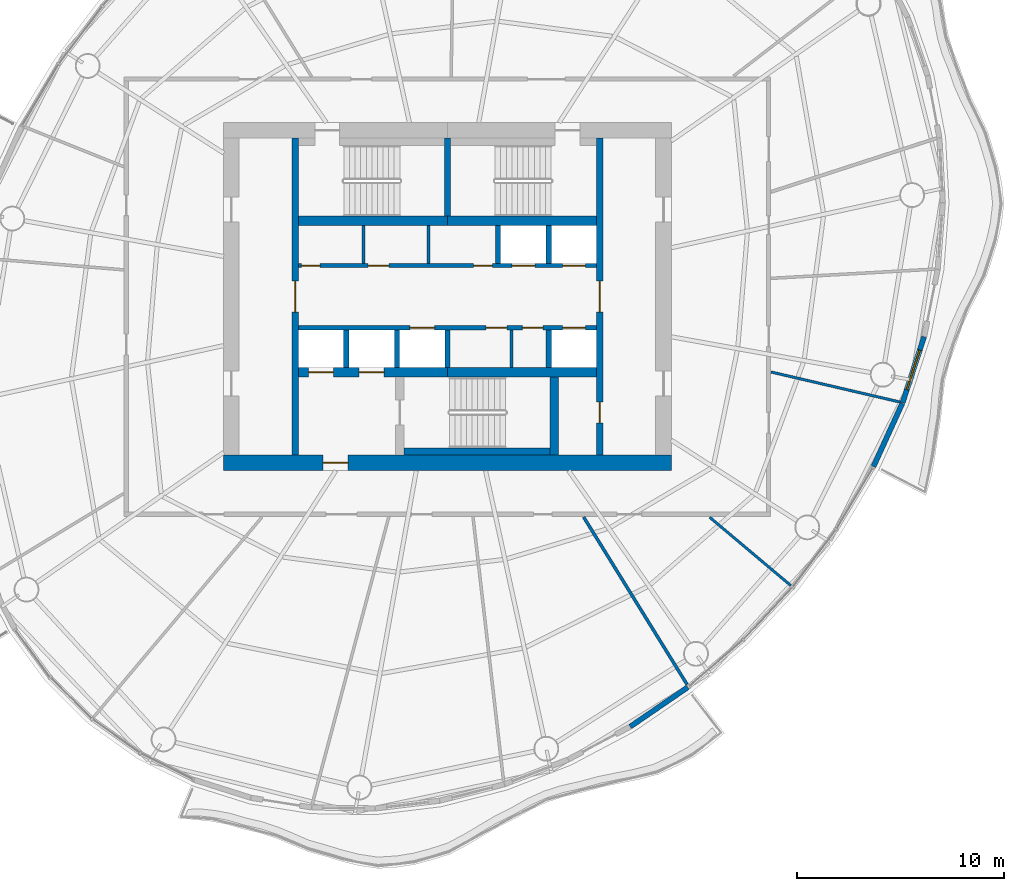
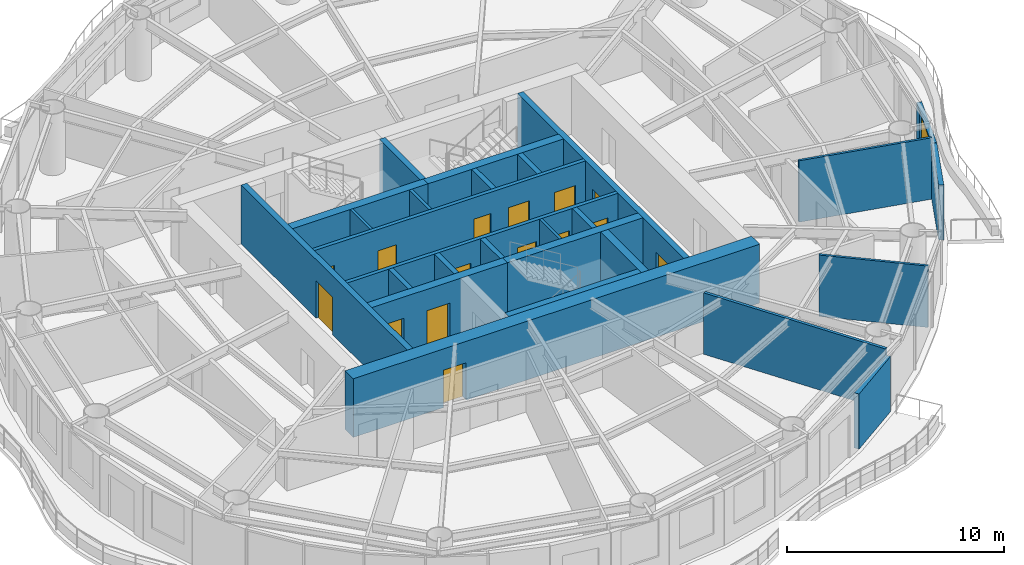
# One storey, part 9 of 14: 27 walls, 15 doors, 1 window, 16 openings.
"""IFC4 building model written with IfcOpenShell, lengths in metres."""

import ifcopenshell
import ifcopenshell.guid

model = None  # the IFC model being written
_history = None  # IfcOwnerHistory: only IFC2X3 demands one
_inside = {}  # id of a spatial element -> (the spatial element, [elements in it])
_under = {}  # id of a project, library or spatial element -> (it, [spatial elements below it])
_declared = {}  # id of a project -> (the project, [libraries it declares])
_typed = {}  # id of a type object -> (the type object, [elements of that type])
_made_of = {}  # id of a material, layer set ... -> (it, [elements and type objects made of it])


def new_model(schema):
    """Start an empty IFC model of exactly this schema.

    Asked for "IFC4X3", IfcOpenShell would pick the latest addendum, in which some entities
    have other attributes; the version numbers below select the first issue.
    IFC2X3 requires an IfcOwnerHistory on every rooted entity: one is made here for all.
    """
    global model, _history
    if schema == "IFC4X3":
        model = ifcopenshell.file(schema_version=(4, 3, 0, 0))
    else:
        model = ifcopenshell.file(schema=schema)
    _inside.clear()
    _under.clear()
    _declared.clear()
    _typed.clear()
    _made_of.clear()
    _history = None
    if model.schema == "IFC2X3":
        org = make("IfcOrganization", Name="unknown")
        user = make(
            "IfcPersonAndOrganization",
            ThePerson=make("IfcPerson", FamilyName="unknown"),
            TheOrganization=org,
        )
        app = make(
            "IfcApplication",
            ApplicationDeveloper=org,
            Version="unknown",
            ApplicationFullName="unknown",
            ApplicationIdentifier="unknown",
        )
        _history = make(
            "IfcOwnerHistory",
            OwningUser=user,
            OwningApplication=app,
            ChangeAction="ADDED",
            CreationDate=0,
        )
    return model


def make(cls, **values):
    """One entity of the class cls with the attributes given. An attribute that is None is left unset."""
    return model.create_entity(
        cls, **{name: value for name, value in values.items() if value is not None}
    )


def rooted(cls, **values):
    """An entity with a GlobalId (a new one), such as an element, a storey or a relation."""
    return make(cls, GlobalId=ifcopenshell.guid.new(), OwnerHistory=_history, **values)


def si_unit(unit_type, name, prefix=None):
    """IfcSIUnit, for example si_unit("LENGTHUNIT", "METRE", prefix="MILLI")."""
    return make("IfcSIUnit", UnitType=unit_type, Prefix=prefix, Name=name)


def assignment(units):
    """IfcUnitAssignment: the units of a project."""
    return None if units is None else make("IfcUnitAssignment", Units=units)


def point(xyz):
    """IfcCartesianPoint."""
    return None if xyz is None else make("IfcCartesianPoint", Coordinates=xyz)


def direction(xyz):
    """IfcDirection."""
    return None if xyz is None else make("IfcDirection", DirectionRatios=xyz)


def frame(location, z_axis=None, x_axis=None):
    """IfcAxis2Placement3D, a coordinate frame: its origin and axes. An axis left out is left unset."""
    return make(
        "IfcAxis2Placement3D",
        Location=point(location),
        Axis=direction(z_axis),
        RefDirection=direction(x_axis),
    )


def frame_2d(location, x_axis=None):
    """IfcAxis2Placement2D, a coordinate frame in the plane: its origin and x axis."""
    return make(
        "IfcAxis2Placement2D", Location=point(location), RefDirection=direction(x_axis)
    )


def origin():
    """The frame at (0, 0, 0) with its axes left unset."""
    return frame((0.0, 0.0, 0.0))


def place(relative_to, where):
    """IfcLocalPlacement: puts the frame where relative to a parent placement (None: the world)."""
    return make(
        "IfcLocalPlacement", PlacementRelTo=relative_to, RelativePlacement=where
    )


def context(
    kind, dimensions, precision=None, world=None, true_north=None, identifier=None
):
    """IfcGeometricRepresentationContext, for example the 3D "Model" context."""
    return make(
        "IfcGeometricRepresentationContext",
        ContextIdentifier=identifier,
        ContextType=kind,
        CoordinateSpaceDimension=dimensions,
        Precision=precision,
        WorldCoordinateSystem=world,
        TrueNorth=true_north,
    )


def subcontext(parent, identifier, kind, view, scale=None):
    """IfcGeometricRepresentationSubContext, for example "Body" below "Model"."""
    return make(
        "IfcGeometricRepresentationSubContext",
        ContextIdentifier=identifier,
        ContextType=kind,
        ParentContext=parent,
        TargetScale=scale,
        TargetView=view,
    )


def project(units=None, contexts=None):
    """IfcProject with its units and contexts."""
    return rooted(
        "IfcProject",
        Name="project",
        RepresentationContexts=contexts,
        UnitsInContext=assignment(units),
    )


def spatial(cls, under=None, at=None, **own):
    """A site, building, storey or space (cls), placed at a placement, below another one or the project."""
    s = rooted(cls, ObjectPlacement=at, **own)
    if under is not None:
        _under.setdefault(under.id(), (under, []))[1].append(s)
    return s


def profile(cls, at=None, kind="AREA", **sizes):
    """A parametric profile (cls). Its sizes go by their IFC names, for example OverallWidth=200.0."""
    return make(cls, ProfileType=kind, Position=at, **sizes)


def rectangle(**sizes):
    """IfcRectangleProfileDef."""
    return profile("IfcRectangleProfileDef", **sizes)


def extrude(swept, where, along, depth):
    """IfcExtrudedAreaSolid: the profile swept, set in the frame where, extruded along a direction by depth."""
    return make(
        "IfcExtrudedAreaSolid",
        SweptArea=swept,
        Position=where,
        ExtrudedDirection=direction(along),
        Depth=depth,
    )


def shape(context_of_items, identifier, shape_type, items):
    """IfcShapeRepresentation: the items that make up one representation, for example the "Body"."""
    return make(
        "IfcShapeRepresentation",
        ContextOfItems=context_of_items,
        RepresentationIdentifier=identifier,
        RepresentationType=shape_type,
        Items=items,
    )


def material(Name=None, Category=None):
    """IfcMaterial."""
    return make("IfcMaterial", Name=Name, Category=Category)


def layer(
    of_material, thickness, ventilated=None, Name=None, Category=None, Priority=None
):
    """IfcMaterialLayer: one layer of a wall or slab, of a material (None: an air gap)."""
    return make(
        "IfcMaterialLayer",
        Material=of_material,
        LayerThickness=thickness,
        IsVentilated=ventilated,
        Name=Name,
        Category=Category,
        Priority=Priority,
    )


def layer_set(layers, Name=None):
    """IfcMaterialLayerSet."""
    return make("IfcMaterialLayerSet", MaterialLayers=layers, LayerSetName=Name)


def made_of(thing, what):
    """Note that an element or type object is made of a material, layer set ...; save() writes the relation."""
    if what is not None:
        _made_of.setdefault(what.id(), (what, []))[1].append(thing)
    return thing


def type_object(cls, material=None, **own):
    """A type object (cls), such as IfcWallType, which elements share."""
    return made_of(rooted(cls, **own), material)


def element(
    cls,
    number,
    at=None,
    inside=None,
    cuts=None,
    type_object=None,
    material=None,
    context=None,
    identifier="Body",
    shape_type=None,
    held_by="IfcProductDefinitionShape",
    body=None,
    shapes=None,
    **own,
):
    """One element of the class cls, such as IfcWall. Its Tag is "e" and its number.

    at: its placement. inside: the storey or other place that contains it. cuts: it is an
    opening in that element (IfcRelVoidsElement). A single representation is given by context,
    identifier, shape_type and body (its items); several are given by shapes. held_by: the class
    of the entity that holds the representations. save() writes the other relations.
    """
    e = rooted(cls, Tag="e%d" % number, ObjectPlacement=at, **own)
    if body is not None:
        shapes = [shape(context, identifier, shape_type, body)]
    if shapes is not None:
        e.Representation = make(held_by, Representations=shapes)
    if inside is not None:
        _inside.setdefault(inside.id(), (inside, []))[1].append(e)
    if cuts is not None:
        rooted(
            "IfcRelVoidsElement", RelatingBuildingElement=cuts, RelatedOpeningElement=e
        )
    if type_object is not None:
        _typed.setdefault(type_object.id(), (type_object, []))[1].append(e)
    return made_of(e, material)


def fill(opening, filler):
    """IfcRelFillsElement: the door or window that sits in an opening."""
    return rooted(
        "IfcRelFillsElement",
        RelatingOpeningElement=opening,
        RelatedBuildingElement=filler,
    )


def aggregate(whole, parts):
    """IfcRelAggregates: a whole, such as a stair, and the parts it consists of."""
    return rooted("IfcRelAggregates", RelatingObject=whole, RelatedObjects=parts)


def save(model, path):
    """Write the relations noted so far, then the file.

    IfcRelAggregates (storeys below a building ...), IfcRelContainedInSpatialStructure (elements
    in a storey), IfcRelDefinesByType, IfcRelAssociatesMaterial and IfcRelDeclares: one each for
    every whole, place, type object, material and project.
    """
    for whole, parts in _under.values():
        aggregate(whole, parts)
    for where, things in _inside.values():
        rooted(
            "IfcRelContainedInSpatialStructure",
            RelatedElements=things,
            RelatingStructure=where,
        )
    for kind, things in _typed.values():
        rooted("IfcRelDefinesByType", RelatedObjects=things, RelatingType=kind)
    for what, things in _made_of.values():
        rooted("IfcRelAssociatesMaterial", RelatedObjects=things, RelatingMaterial=what)
    for by, libraries in _declared.values():
        rooted("IfcRelDeclares", RelatingContext=by, RelatedDefinitions=libraries)
    model.write(path)


model = new_model("IFC4")

# Units and contexts
model_context = context("Model", 3, precision=1e-05, world=origin(), true_north=direction((0.0, 1.0)))
body_context = subcontext(model_context, "Body", "Model", "MODEL_VIEW")
ifc_project = project(units=[si_unit("LENGTHUNIT", "METRE"), si_unit("AREAUNIT", "SQUARE_METRE"), si_unit("VOLUMEUNIT", "CUBIC_METRE"), si_unit("PLANEANGLEUNIT", "RADIAN"), si_unit("MASSUNIT", "GRAM", prefix="KILO")], contexts=[model_context])

# Site, building, storey
site_placement = place(None, origin())
site = spatial("IfcSite", under=ifc_project, at=site_placement, CompositionType="ELEMENT")
building_placement = place(site_placement, origin())
building = spatial("IfcBuilding", under=site, at=building_placement, Name="Vermilion Reach Broadcast Tower", CompositionType="ELEMENT")
storey_placement = place(building_placement, frame((0.0, 0.0, 231.699951171875)))
storey = spatial("IfcBuildingStorey", under=building, at=storey_placement, Name="L57", CompositionType="ELEMENT", Elevation=231.699951171875)

# Wall, opening, door
ifc_material_1 = material(Name="Concrete C60", Category="concrete")
ifc_layer_1 = layer(ifc_material_1, 0.300048828125)
ifc_layer_set_1 = layer_set([ifc_layer_1], Name="Core inner wall 300 mm Concrete C60")
wall_type_1 = type_object("IfcWallType", Name="Core inner wall 300 mm Concrete C60", PredefinedType="SHEAR", material=ifc_layer_set_1)
wall_1_placement = place(storey_placement, frame((-13.35009765625, 7.64990234375, 0.0), z_axis=(0.0, 0.0, 1.0), x_axis=(0.0, -1.0, 0.0)))
wall_1 = element("IfcWall", 1, at=wall_1_placement, inside=storey, type_object=wall_type_1, Name="L57 core wall ewW", PredefinedType="SHEAR", context=body_context, shape_type="SweptSolid", body=[
    extrude(rectangle(XDim=15.2998046875, YDim=0.300048828125, at=frame_2d((7.64990234375, 0.0))), origin(), (0.0, 0.0, 1.0), 3.300048828125),
])
opening_1_placement = place(wall_1_placement, frame((6.89990234375, 0.0, 0.0)))
opening_1 = element("IfcOpeningElement", 2, at=opening_1_placement, cuts=wall_1, Name="Opening D04", PredefinedType="OPENING", context=body_context, shape_type="SweptSolid", body=[
    extrude(rectangle(XDim=1.5, YDim=2.10009765625, at=frame_2d((0.75, 1.050048828125))), frame((0.0, 0.159912109375, 0.0), z_axis=(0.0, -1.0, 0.0), x_axis=(1.0, 0.0, 0.0)), (0.0, 0.0, 1.0), 0.320068359375),
])
ifc_material_2 = material(Name="Painted steel fire door", Category="steel")
door_type_1 = type_object("IfcDoorType", Name="Lift lobby door 1500 x 2100", OperationType="DOUBLE_DOOR_SINGLE_SWING", PredefinedType="NOTDEFINED", material=ifc_material_2)
door_1_placement = place(opening_1_placement, origin())
door_1 = element("IfcDoor", 3, at=door_1_placement, inside=storey, type_object=door_type_1, Name="L57 band door BW", OperationType="DOUBLE_DOOR_SINGLE_SWING", OverallHeight=2.10009765625, OverallWidth=1.5, PredefinedType="NOTDEFINED", context=body_context, shape_type="SweptSolid", body=[
    extrude(rectangle(XDim=1.5, YDim=2.10009765625, at=frame_2d((0.75, 1.050048828125))), frame((0.0, 0.02490234375, 0.0), z_axis=(0.0, -1.0, 0.0), x_axis=(1.0, 0.0, 0.0)), (0.0, 0.0, 1.0), 0.050048828125),
])
fill(opening_1, door_1)

# Wall, openings, doors
wall_2_placement = place(storey_placement, frame((1.35009765625, -7.64990234375, 0.0), z_axis=(0.0, 0.0, 1.0), x_axis=(0.0, 1.0, 0.0)))
wall_2 = element("IfcWall", 4, at=wall_2_placement, inside=storey, type_object=wall_type_1, Name="L57 core wall ewE", PredefinedType="SHEAR", context=body_context, shape_type="SweptSolid", body=[
    extrude(rectangle(XDim=15.2998046875, YDim=0.300048828125, at=frame_2d((7.64990234375, 0.0))), origin(), (0.0, 0.0, 1.0), 3.300048828125),
])
opening_2_placement = place(wall_2_placement, frame((1.56005859375, 0.0, 0.0)))
opening_2 = element("IfcOpeningElement", 5, at=opening_2_placement, cuts=wall_2, Name="Opening D05", PredefinedType="OPENING", context=body_context, shape_type="SweptSolid", body=[
    extrude(rectangle(XDim=1.0, YDim=2.10009765625, at=frame_2d((0.5, 1.050048828125))), frame((0.0, 0.159912109375, 0.0), z_axis=(0.0, -1.0, 0.0), x_axis=(1.0, 0.0, 0.0)), (0.0, 0.0, 1.0), 0.320068359375),
])
opening_3_placement = place(wall_2_placement, frame((6.89990234375, 0.0, 0.0)))
opening_3 = element("IfcOpeningElement", 6, at=opening_3_placement, cuts=wall_2, Name="Opening D04", PredefinedType="OPENING", context=body_context, shape_type="SweptSolid", body=[
    extrude(rectangle(XDim=1.5, YDim=2.10009765625, at=frame_2d((0.75, 1.050048828125))), frame((0.0, 0.159912109375, 0.0), z_axis=(0.0, -1.0, 0.0), x_axis=(1.0, 0.0, 0.0)), (0.0, 0.0, 1.0), 0.320068359375),
])
door_2_placement = place(opening_3_placement, origin())
door_2 = element("IfcDoor", 7, at=door_2_placement, inside=storey, type_object=door_type_1, Name="L57 band door BE", OperationType="DOUBLE_DOOR_SINGLE_SWING", OverallHeight=2.10009765625, OverallWidth=1.5, PredefinedType="NOTDEFINED", context=body_context, shape_type="SweptSolid", body=[
    extrude(rectangle(XDim=1.5, YDim=2.10009765625, at=frame_2d((0.75, 1.050048828125))), frame((0.0, 0.02490234375, 0.0), z_axis=(0.0, -1.0, 0.0), x_axis=(1.0, 0.0, 0.0)), (0.0, 0.0, 1.0), 0.050048828125),
])
fill(opening_3, door_2)
ifc_material_3 = material(Name="Timber door", Category="wood")
door_type_2 = type_object("IfcDoorType", Name="Room door 1000 x 2100", OperationType="NOTDEFINED", PredefinedType="NOTDEFINED", material=ifc_material_3)
door_3_placement = place(opening_2_placement, origin())
door_3 = element("IfcDoor", 8, at=door_3_placement, inside=storey, type_object=door_type_2, Name="L57 door SER", OperationType="SINGLE_SWING_LEFT", OverallHeight=2.10009765625, OverallWidth=1.0, PredefinedType="NOTDEFINED", context=body_context, shape_type="SweptSolid", body=[
    extrude(rectangle(XDim=1.0, YDim=2.10009765625, at=frame_2d((0.5, 1.050048828125))), frame((0.0, 0.02490234375, 0.0), z_axis=(0.0, -1.0, 0.0), x_axis=(1.0, 0.0, 0.0)), (0.0, 0.0, 1.0), 0.050048828125),
])
fill(opening_2, door_3)

# Walls
wall_3_placement = place(storey_placement, frame((-6.0, 3.8798828125, 0.0), z_axis=(0.0, 0.0, 1.0), x_axis=(0.0, 1.0, 0.0)))
element("IfcWall", 9, at=wall_3_placement, inside=storey, type_object=wall_type_1, Name="L57 core wall wc", PredefinedType="SHEAR", context=body_context, shape_type="SweptSolid", body=[
    extrude(rectangle(XDim=3.77001953125, YDim=0.300048828125, at=frame_2d((1.885009765625, 0.0))), origin(), (0.0, 0.0, 1.0), 3.300048828125),
])
ifc_material_4 = material(Name="Concrete C60", Category="concrete")
ifc_layer_2 = layer(ifc_material_4, 0.39990234375)
ifc_layer_set_2 = layer_set([ifc_layer_2], Name="Core inner wall 400 mm Concrete C60")
wall_type_2 = type_object("IfcWallType", Name="Core inner wall 400 mm Concrete C60", PredefinedType="SHEAR", material=ifc_layer_set_2)
wall_4_placement = place(storey_placement, frame((-0.85009765625, -3.8798828125, 0.0), z_axis=(0.0, 0.0, 1.0), x_axis=(0.0, -1.0, 0.0)))
element("IfcWall", 10, at=wall_4_placement, inside=storey, type_object=wall_type_2, Name="L57 core wall wb", PredefinedType="SHEAR", context=body_context, shape_type="SweptSolid", body=[
    extrude(rectangle(XDim=3.77001953125, YDim=0.39990234375, at=frame_2d((1.885009765625, 0.0))), origin(), (0.0, 0.0, 1.0), 3.300048828125),
])
ifc_material_5 = material(Name="Concrete C60", Category="concrete")
ifc_layer_3 = layer(ifc_material_5, 0.449951171875)
ifc_layer_set_3 = layer_set([ifc_layer_3], Name="Core inner wall 450 mm Concrete C60")
wall_type_3 = type_object("IfcWallType", Name="Core inner wall 450 mm Concrete C60", PredefinedType="SHEAR", material=ifc_layer_set_3)
for number, where, z_axis, x_axis, name in (
    (11, (-13.199951171875, 3.655029296875, 0.0), (0.0, 0.0, 1.0), (1.0, 0.0, 0.0), "L57 core wall winW"),
    (12, (-6.0, 3.655029296875, 0.0), (0.0, 0.0, 1.0), (1.0, 0.0, 0.0), "L57 core wall winE"),
):
    element("IfcWall", number, at=place(storey_placement, frame(where, z_axis=z_axis, x_axis=x_axis)), inside=storey, type_object=wall_type_3, Name=name, PredefinedType="SHEAR", context=body_context, shape_type="SweptSolid", body=[
        extrude(rectangle(XDim=7.199951171875, YDim=0.449951171875, at=frame_2d((3.60009765625, 0.0))), origin(), (0.0, 0.0, 1.0), 3.300048828125),
    ])

# Wall, openings, doors
wall_5_placement = place(storey_placement, frame((-13.199951171875, -3.655029296875, 0.0), z_axis=(0.0, 0.0, 1.0), x_axis=(1.0, 0.0, 0.0)))
wall_5 = element("IfcWall", 13, at=wall_5_placement, inside=storey, type_object=wall_type_3, Name="L57 core wall wisW", PredefinedType="SHEAR", context=body_context, shape_type="SweptSolid", body=[
    extrude(rectangle(XDim=7.199951171875, YDim=0.449951171875, at=frame_2d((3.60009765625, 0.0))), origin(), (0.0, 0.0, 1.0), 3.300048828125),
])
opening_4_placement = place(wall_5_placement, frame((0.495849609375, 0.0, 0.0)))
opening_4 = element("IfcOpeningElement", 14, at=opening_4_placement, cuts=wall_5, Name="Opening LD1", PredefinedType="OPENING", context=body_context, shape_type="SweptSolid", body=[
    extrude(rectangle(XDim=1.199951171875, YDim=2.10009765625, at=frame_2d((0.60009765625, 1.050048828125))), frame((0.0, 0.23486328125, 0.0), z_axis=(0.0, -1.0, 0.0), x_axis=(1.0, 0.0, 0.0)), (0.0, 0.0, 1.0), 0.469970703125),
])
opening_5_placement = place(wall_5_placement, frame((2.9375, 0.0, 0.0)))
opening_5 = element("IfcOpeningElement", 15, at=opening_5_placement, cuts=wall_5, Name="Opening LD1", PredefinedType="OPENING", context=body_context, shape_type="SweptSolid", body=[
    extrude(rectangle(XDim=1.199951171875, YDim=2.10009765625, at=frame_2d((0.60009765625, 1.050048828125))), frame((0.0, 0.23486328125, 0.0), z_axis=(0.0, -1.0, 0.0), x_axis=(1.0, 0.0, 0.0)), (0.0, 0.0, 1.0), 0.469970703125),
])
ifc_material_6 = material(Name="Stainless steel", Category="steel")
door_type_3 = type_object("IfcDoorType", Name="Landing door 1200 x 2100", OperationType="DOUBLE_DOOR_SLIDING", PredefinedType="NOTDEFINED", material=ifc_material_6)
door_4_placement = place(opening_4_placement, origin())
door_4 = element("IfcDoor", 16, at=door_4_placement, inside=storey, type_object=door_type_3, Name="L57 landing door FF1", OperationType="DOUBLE_DOOR_SLIDING", OverallHeight=2.10009765625, OverallWidth=1.199951171875, PredefinedType="NOTDEFINED", context=body_context, shape_type="SweptSolid", body=[
    extrude(rectangle(XDim=1.199951171875, YDim=2.10009765625, at=frame_2d((0.60009765625, 1.050048828125))), frame((0.0, 0.02490234375, 0.0), z_axis=(0.0, -1.0, 0.0), x_axis=(1.0, 0.0, 0.0)), (0.0, 0.0, 1.0), 0.050048828125),
])
fill(opening_4, door_4)
door_5_placement = place(opening_5_placement, origin())
door_5 = element("IfcDoor", 17, at=door_5_placement, inside=storey, type_object=door_type_3, Name="L57 landing door FF2", OperationType="DOUBLE_DOOR_SLIDING", OverallHeight=2.10009765625, OverallWidth=1.199951171875, PredefinedType="NOTDEFINED", context=body_context, shape_type="SweptSolid", body=[
    extrude(rectangle(XDim=1.199951171875, YDim=2.10009765625, at=frame_2d((0.60009765625, 1.050048828125))), frame((0.0, 0.02490234375, 0.0), z_axis=(0.0, -1.0, 0.0), x_axis=(1.0, 0.0, 0.0)), (0.0, 0.0, 1.0), 0.050048828125),
])
fill(opening_5, door_5)

# Wall
wall_6_placement = place(storey_placement, frame((-6.0, -3.655029296875, 0.0), z_axis=(0.0, 0.0, 1.0), x_axis=(1.0, 0.0, 0.0)))
element("IfcWall", 18, at=wall_6_placement, inside=storey, type_object=wall_type_3, Name="L57 core wall wisE", PredefinedType="SHEAR", context=body_context, shape_type="SweptSolid", body=[
    extrude(rectangle(XDim=7.199951171875, YDim=0.449951171875, at=frame_2d((3.60009765625, 0.0))), origin(), (0.0, 0.0, 1.0), 3.300048828125),
])

# Wall, opening, door
ifc_material_7 = material(Name="Concrete C60", Category="concrete")
ifc_layer_4 = layer(ifc_material_7, 0.75)
ifc_layer_set_4 = layer_set([ifc_layer_4], Name="Core outer wall 750 mm Concrete C60")
wall_type_4 = type_object("IfcWallType", Name="Core outer wall 750 mm Concrete C60", PredefinedType="SHEAR", material=ifc_layer_set_4)
wall_7_placement = place(storey_placement, frame((-16.800048828125, -8.02490234375, 0.0), z_axis=(0.0, 0.0, 1.0), x_axis=(1.0, 0.0, 0.0)))
wall_7 = element("IfcWall", 19, at=wall_7_placement, inside=storey, type_object=wall_type_4, Name="L57 core wall os", PredefinedType="SHEAR", context=body_context, shape_type="SweptSolid", body=[
    extrude(rectangle(XDim=21.60009765625, YDim=0.75, at=frame_2d((10.800048828125, 0.0))), origin(), (0.0, 0.0, 1.0), 3.300048828125),
])
opening_6_placement = place(wall_7_placement, frame((4.800048828125, 0.0, 0.0)))
opening_6 = element("IfcOpeningElement", 20, at=opening_6_placement, cuts=wall_7, Name="Opening D02", PredefinedType="OPENING", context=body_context, shape_type="SweptSolid", body=[
    extrude(rectangle(XDim=1.199951171875, YDim=2.10009765625, at=frame_2d((0.60009765625, 1.050048828125))), frame((0.0, 0.385009765625, 0.0), z_axis=(0.0, -1.0, 0.0), x_axis=(1.0, 0.0, 0.0)), (0.0, 0.0, 1.0), 0.77001953125),
])
ifc_material_8 = material(Name="Painted steel fire door", Category="steel")
door_type_4 = type_object("IfcDoorType", Name="Firefighting lobby door 1200 x 2100", OperationType="DOUBLE_DOOR_SINGLE_SWING", PredefinedType="NOTDEFINED", material=ifc_material_8)
door_6_placement = place(opening_6_placement, origin())
door_6 = element("IfcDoor", 21, at=door_6_placement, inside=storey, type_object=door_type_4, Name="L57 ffdoor door FFL", OperationType="DOUBLE_DOOR_SINGLE_SWING", OverallHeight=2.10009765625, OverallWidth=1.199951171875, PredefinedType="NOTDEFINED", context=body_context, shape_type="SweptSolid", body=[
    extrude(rectangle(XDim=1.199951171875, YDim=2.10009765625, at=frame_2d((0.60009765625, 1.050048828125))), frame((0.0, 0.02490234375, 0.0), z_axis=(0.0, -1.0, 0.0), x_axis=(1.0, 0.0, 0.0)), (0.0, 0.0, 1.0), 0.050048828125),
])
fill(opening_6, door_6)

# Walls
ifc_material_9 = material(Name="Masonry block", Category="masonry")
ifc_layer_5 = layer(ifc_material_9, 0.14990234375)
ifc_layer_set_5 = layer_set([ifc_layer_5], Name="Core partition wall 150 mm Masonry block")
wall_type_5 = type_object("IfcWallType", Name="Core partition wall 150 mm Masonry block", PredefinedType="PARTITIONING", material=ifc_layer_set_5)
for number, where, z_axis, x_axis, name in (
    (22, (-10.0595703125, 1.60009765625, 0.0), (0.0, 0.0, 1.0), (0.0, 1.0, 0.0), "L57 core wall prN-4060"),
    (23, (-6.9189453125, 1.60009765625, 0.0), (0.0, 0.0, 1.0), (0.0, 1.0, 0.0), "L57 core wall prN-919"),
    (24, (-2.90966796875, -1.60009765625, 0.0), (0.0, 0.0, 1.0), (0.0, -1.0, 0.0), "L57 core wall prS3090"),
):
    element("IfcWall", number, at=place(storey_placement, frame(where, z_axis=z_axis, x_axis=x_axis)), inside=storey, type_object=wall_type_5, Name=name, PredefinedType="PARTITIONING", context=body_context, shape_type="SweptSolid", body=[
        extrude(rectangle(XDim=1.829833984375, YDim=0.14990234375, at=frame_2d((0.9150390625, 0.0))), origin(), (0.0, 0.0, 1.0), 3.300048828125),
    ])

# Wall, openings, doors
ifc_material_10 = material(Name="Concrete C50", Category="concrete")
ifc_layer_6 = layer(ifc_material_10, 0.199951171875)
ifc_layer_set_6 = layer_set([ifc_layer_6], Name="Core shaft wall 200 mm Concrete C50")
wall_type_6 = type_object("IfcWallType", Name="Core shaft wall 200 mm Concrete C50", PredefinedType="SHEAR", material=ifc_layer_set_6)
wall_8_placement = place(storey_placement, frame((-13.199951171875, 1.5, 0.0), z_axis=(0.0, 0.0, 1.0), x_axis=(1.0, 0.0, 0.0)))
wall_8 = element("IfcWall", 25, at=wall_8_placement, inside=storey, type_object=wall_type_6, Name="L57 core wall fn", PredefinedType="SHEAR", context=body_context, shape_type="SweptSolid", body=[
    extrude(rectangle(XDim=14.39990234375, YDim=0.199951171875, at=frame_2d((7.199951171875, 0.0))), origin(), (0.0, 0.0, 1.0), 3.300048828125),
])
opening_7_placement = place(wall_8_placement, frame((10.3125, 0.0, 0.0)))
opening_7 = element("IfcOpeningElement", 26, at=opening_7_placement, cuts=wall_8, Name="Opening LD2", PredefinedType="OPENING", context=body_context, shape_type="SweptSolid", body=[
    extrude(rectangle(XDim=1.10009765625, YDim=2.10009765625, at=frame_2d((0.550048828125, 1.050048828125))), frame((0.0, 0.10986328125, 0.0), z_axis=(0.0, -1.0, 0.0), x_axis=(1.0, 0.0, 0.0)), (0.0, 0.0, 1.0), 0.219970703125),
])
opening_8_placement = place(wall_8_placement, frame((12.754150390625, 0.0, 0.0)))
opening_8 = element("IfcOpeningElement", 27, at=opening_8_placement, cuts=wall_8, Name="Opening LD2", PredefinedType="OPENING", context=body_context, shape_type="SweptSolid", body=[
    extrude(rectangle(XDim=1.10009765625, YDim=2.10009765625, at=frame_2d((0.550048828125, 1.050048828125))), frame((0.0, 0.10986328125, 0.0), z_axis=(0.0, -1.0, 0.0), x_axis=(1.0, 0.0, 0.0)), (0.0, 0.0, 1.0), 0.219970703125),
])
opening_9_placement = place(wall_8_placement, frame((0.14990234375, 0.0, 0.0)))
opening_9 = element("IfcOpeningElement", 28, at=opening_9_placement, cuts=wall_8, Name="Opening D06", PredefinedType="OPENING", context=body_context, shape_type="SweptSolid", body=[
    extrude(rectangle(XDim=0.89990234375, YDim=2.10009765625, at=frame_2d((0.449951171875, 1.050048828125))), frame((0.0, 0.10986328125, 0.0), z_axis=(0.0, -1.0, 0.0), x_axis=(1.0, 0.0, 0.0)), (0.0, 0.0, 1.0), 0.219970703125),
])
opening_10_placement = place(wall_8_placement, frame((3.365478515625, 0.0, 0.0)))
opening_10 = element("IfcOpeningElement", 29, at=opening_10_placement, cuts=wall_8, Name="Opening D07", PredefinedType="OPENING", context=body_context, shape_type="SweptSolid", body=[
    extrude(rectangle(XDim=1.0, YDim=2.10009765625, at=frame_2d((0.5, 1.050048828125))), frame((0.0, 0.10986328125, 0.0), z_axis=(0.0, -1.0, 0.0), x_axis=(1.0, 0.0, 0.0)), (0.0, 0.0, 1.0), 0.219970703125),
])
opening_11_placement = place(wall_8_placement, frame((8.466552734375, 0.0, 0.0)))
opening_11 = element("IfcOpeningElement", 30, at=opening_11_placement, cuts=wall_8, Name="Opening D06", PredefinedType="OPENING", context=body_context, shape_type="SweptSolid", body=[
    extrude(rectangle(XDim=0.89990234375, YDim=2.10009765625, at=frame_2d((0.449951171875, 1.050048828125))), frame((0.0, 0.10986328125, 0.0), z_axis=(0.0, -1.0, 0.0), x_axis=(1.0, 0.0, 0.0)), (0.0, 0.0, 1.0), 0.219970703125),
])
ifc_material_11 = material(Name="Timber door", Category="wood")
door_type_5 = type_object("IfcDoorType", Name="Accessible WC door 1000 x 2100", OperationType="NOTDEFINED", PredefinedType="NOTDEFINED", material=ifc_material_11)
door_7_placement = place(opening_10_placement, origin())
door_7 = element("IfcDoor", 31, at=door_7_placement, inside=storey, type_object=door_type_5, Name="L57 door Accessible WC", OperationType="SINGLE_SWING_LEFT", OverallHeight=2.10009765625, OverallWidth=1.0, PredefinedType="NOTDEFINED", context=body_context, shape_type="SweptSolid", body=[
    extrude(rectangle(XDim=1.0, YDim=2.10009765625, at=frame_2d((0.5, 1.050048828125))), frame((0.0, 0.02490234375, 0.0), z_axis=(0.0, -1.0, 0.0), x_axis=(1.0, 0.0, 0.0)), (0.0, 0.0, 1.0), 0.050048828125),
])
fill(opening_10, door_7)
ifc_material_12 = material(Name="Stainless steel", Category="steel")
door_type_6 = type_object("IfcDoorType", Name="Landing door 1100 x 2100", OperationType="DOUBLE_DOOR_SLIDING", PredefinedType="NOTDEFINED", material=ifc_material_12)
door_8_placement = place(opening_7_placement, origin())
door_8 = element("IfcDoor", 32, at=door_8_placement, inside=storey, type_object=door_type_6, Name="L57 landing door HR1", OperationType="DOUBLE_DOOR_SLIDING", OverallHeight=2.10009765625, OverallWidth=1.10009765625, PredefinedType="NOTDEFINED", context=body_context, shape_type="SweptSolid", body=[
    extrude(rectangle(XDim=1.10009765625, YDim=2.10009765625, at=frame_2d((0.550048828125, 1.050048828125))), frame((0.0, 0.02490234375, 0.0), z_axis=(0.0, -1.0, 0.0), x_axis=(1.0, 0.0, 0.0)), (0.0, 0.0, 1.0), 0.050048828125),
])
fill(opening_7, door_8)
door_9_placement = place(opening_8_placement, origin())
door_9 = element("IfcDoor", 33, at=door_9_placement, inside=storey, type_object=door_type_6, Name="L57 landing door HR2", OperationType="DOUBLE_DOOR_SLIDING", OverallHeight=2.10009765625, OverallWidth=1.10009765625, PredefinedType="NOTDEFINED", context=body_context, shape_type="SweptSolid", body=[
    extrude(rectangle(XDim=1.10009765625, YDim=2.10009765625, at=frame_2d((0.550048828125, 1.050048828125))), frame((0.0, 0.02490234375, 0.0), z_axis=(0.0, -1.0, 0.0), x_axis=(1.0, 0.0, 0.0)), (0.0, 0.0, 1.0), 0.050048828125),
])
fill(opening_8, door_9)
ifc_material_13 = material(Name="Timber door", Category="wood")
door_type_7 = type_object("IfcDoorType", Name="WC door 900 x 2100", OperationType="NOTDEFINED", PredefinedType="NOTDEFINED", material=ifc_material_13)
door_10_placement = place(opening_9_placement, origin())
door_10 = element("IfcDoor", 34, at=door_10_placement, inside=storey, type_object=door_type_7, Name="L57 door Male WC", OperationType="SINGLE_SWING_LEFT", OverallHeight=2.10009765625, OverallWidth=0.89990234375, PredefinedType="NOTDEFINED", context=body_context, shape_type="SweptSolid", body=[
    extrude(rectangle(XDim=0.89990234375, YDim=2.10009765625, at=frame_2d((0.449951171875, 1.050048828125))), frame((0.0, 0.02490234375, 0.0), z_axis=(0.0, -1.0, 0.0), x_axis=(1.0, 0.0, 0.0)), (0.0, 0.0, 1.0), 0.050048828125),
])
fill(opening_9, door_10)
door_11_placement = place(opening_11_placement, origin())
door_11 = element("IfcDoor", 35, at=door_11_placement, inside=storey, type_object=door_type_7, Name="L57 door Female WC", OperationType="SINGLE_SWING_RIGHT", OverallHeight=2.10009765625, OverallWidth=0.89990234375, PredefinedType="NOTDEFINED", context=body_context, shape_type="SweptSolid", body=[
    extrude(rectangle(XDim=0.89990234375, YDim=2.10009765625, at=frame_2d((0.449951171875, 1.050048828125))), frame((0.0, 0.02490234375, 0.0), z_axis=(0.0, -1.0, 0.0), x_axis=(1.0, 0.0, 0.0)), (0.0, 0.0, 1.0), 0.050048828125),
])
fill(opening_11, door_11)

wall_9_placement = place(storey_placement, frame((1.199951171875, -1.5, 0.0), z_axis=(0.0, 0.0, 1.0), x_axis=(-1.0, 0.0, 0.0)))
wall_9 = element("IfcWall", 36, at=wall_9_placement, inside=storey, type_object=wall_type_6, Name="L57 core wall fs", PredefinedType="SHEAR", context=body_context, shape_type="SweptSolid", body=[
    extrude(rectangle(XDim=14.39990234375, YDim=0.199951171875, at=frame_2d((7.199951171875, 0.0))), origin(), (0.0, 0.0, 1.0), 3.300048828125),
])
opening_12_placement = place(wall_9_placement, frame((7.82080078125, 0.0, 0.0)))
opening_12 = element("IfcOpeningElement", 37, at=opening_12_placement, cuts=wall_9, Name="Opening LD1", PredefinedType="OPENING", context=body_context, shape_type="SweptSolid", body=[
    extrude(rectangle(XDim=1.199951171875, YDim=2.10009765625, at=frame_2d((0.60009765625, 1.050048828125))), frame((0.0, 0.10986328125, 0.0), z_axis=(0.0, -1.0, 0.0), x_axis=(1.0, 0.0, 0.0)), (0.0, 0.0, 1.0), 0.219970703125),
])
opening_13_placement = place(wall_9_placement, frame((0.5458984375, 0.0, 0.0)))
opening_13 = element("IfcOpeningElement", 38, at=opening_13_placement, cuts=wall_9, Name="Opening LD2", PredefinedType="OPENING", context=body_context, shape_type="SweptSolid", body=[
    extrude(rectangle(XDim=1.10009765625, YDim=2.10009765625, at=frame_2d((0.550048828125, 1.050048828125))), frame((0.0, 0.10986328125, 0.0), z_axis=(0.0, -1.0, 0.0), x_axis=(1.0, 0.0, 0.0)), (0.0, 0.0, 1.0), 0.219970703125),
])
opening_14_placement = place(wall_9_placement, frame((4.334716796875, 0.0, 0.0)))
opening_14 = element("IfcOpeningElement", 39, at=opening_14_placement, cuts=wall_9, Name="Opening D10", PredefinedType="OPENING", context=body_context, shape_type="SweptSolid", body=[
    extrude(rectangle(XDim=1.0, YDim=2.10009765625, at=frame_2d((0.5, 1.050048828125))), frame((0.0, 0.10986328125, 0.0), z_axis=(0.0, -1.0, 0.0), x_axis=(1.0, 0.0, 0.0)), (0.0, 0.0, 1.0), 0.219970703125),
])
opening_15_placement = place(wall_9_placement, frame((2.591552734375, 0.0, 0.0)))
opening_15 = element("IfcOpeningElement", 40, at=opening_15_placement, cuts=wall_9, Name="Opening D11", PredefinedType="OPENING", context=body_context, shape_type="SweptSolid", body=[
    extrude(rectangle(XDim=1.0, YDim=2.10009765625, at=frame_2d((0.5, 1.050048828125))), frame((0.0, 0.10986328125, 0.0), z_axis=(0.0, -1.0, 0.0), x_axis=(1.0, 0.0, 0.0)), (0.0, 0.0, 1.0), 0.219970703125),
])
door_12_placement = place(opening_13_placement, origin())
door_12 = element("IfcDoor", 41, at=door_12_placement, inside=storey, type_object=door_type_6, Name="L57 landing door HR3", OperationType="DOUBLE_DOOR_SLIDING", OverallHeight=2.10009765625, OverallWidth=1.10009765625, PredefinedType="NOTDEFINED", context=body_context, shape_type="SweptSolid", body=[
    extrude(rectangle(XDim=1.10009765625, YDim=2.10009765625, at=frame_2d((0.550048828125, 1.050048828125))), frame((0.0, 0.02490234375, 0.0), z_axis=(0.0, -1.0, 0.0), x_axis=(1.0, 0.0, 0.0)), (0.0, 0.0, 1.0), 0.050048828125),
])
fill(opening_13, door_12)
door_13_placement = place(opening_12_placement, origin())
door_13 = element("IfcDoor", 42, at=door_13_placement, inside=storey, type_object=door_type_3, Name="L57 landing door SV1", OperationType="DOUBLE_DOOR_SLIDING", OverallHeight=2.10009765625, OverallWidth=1.199951171875, PredefinedType="NOTDEFINED", context=body_context, shape_type="SweptSolid", body=[
    extrude(rectangle(XDim=1.199951171875, YDim=2.10009765625, at=frame_2d((0.60009765625, 1.050048828125))), frame((0.0, 0.02490234375, 0.0), z_axis=(0.0, -1.0, 0.0), x_axis=(1.0, 0.0, 0.0)), (0.0, 0.0, 1.0), 0.050048828125),
])
fill(opening_12, door_13)
ifc_material_14 = material(Name="Painted steel fire door", Category="steel")
door_type_8 = type_object("IfcDoorType", Name="Services room door 1000 x 2100", OperationType="NOTDEFINED", PredefinedType="NOTDEFINED", material=ifc_material_14)
door_14_placement = place(opening_15_placement, origin())
door_14 = element("IfcDoor", 43, at=door_14_placement, inside=storey, type_object=door_type_8, Name="L57 door Electrical room", OperationType="SINGLE_SWING_LEFT", OverallHeight=2.10009765625, OverallWidth=1.0, PredefinedType="NOTDEFINED", context=body_context, shape_type="SweptSolid", body=[
    extrude(rectangle(XDim=1.0, YDim=2.10009765625, at=frame_2d((0.5, 1.050048828125))), frame((0.0, 0.02490234375, 0.0), z_axis=(0.0, -1.0, 0.0), x_axis=(1.0, 0.0, 0.0)), (0.0, 0.0, 1.0), 0.050048828125),
])
fill(opening_15, door_14)
ifc_material_15 = material(Name="Timber door", Category="wood")
door_type_9 = type_object("IfcDoorType", Name="WC lobby door 1000 x 2100", OperationType="NOTDEFINED", PredefinedType="NOTDEFINED", material=ifc_material_15)
door_15_placement = place(opening_14_placement, origin())
door_15 = element("IfcDoor", 44, at=door_15_placement, inside=storey, type_object=door_type_9, Name="L57 door WC lobby", OperationType="SINGLE_SWING_LEFT", OverallHeight=2.10009765625, OverallWidth=1.0, PredefinedType="NOTDEFINED", context=body_context, shape_type="SweptSolid", body=[
    extrude(rectangle(XDim=1.0, YDim=2.10009765625, at=frame_2d((0.5, 1.050048828125))), frame((0.0, 0.02490234375, 0.0), z_axis=(0.0, -1.0, 0.0), x_axis=(1.0, 0.0, 0.0)), (0.0, 0.0, 1.0), 0.050048828125),
])
fill(opening_14, door_15)

# Walls
ifc_material_16 = material(Name="Concrete C50", Category="concrete")
ifc_layer_7 = layer(ifc_material_16, 0.25)
ifc_layer_set_7 = layer_set([ifc_layer_7], Name="Core shaft wall 250 mm Concrete C50")
wall_type_7 = type_object("IfcWallType", Name="Core shaft wall 250 mm Concrete C50", PredefinedType="SHEAR", material=ifc_layer_set_7)
for number, where, z_axis, x_axis, name in (
    (45, (-3.558349609375, 1.60009765625, 0.0), (0.0, 0.0, 1.0), (0.0, 1.0, 0.0), "L57 core wall psN3"),
    (46, (-1.11669921875, 1.60009765625, 0.0), (0.0, 0.0, 1.0), (0.0, 1.0, 0.0), "L57 core wall psN4"),
    (47, (-10.88330078125, -1.60009765625, 0.0), (0.0, 0.0, 1.0), (0.0, -1.0, 0.0), "L57 core wall psS0"),
    (48, (-8.441650390625, -1.60009765625, 0.0), (0.0, 0.0, 1.0), (0.0, -1.0, 0.0), "L57 core wall psS1"),
    (49, (-6.0, -1.60009765625, 0.0), (0.0, 0.0, 1.0), (0.0, -1.0, 0.0), "L57 core wall psS2"),
    (50, (-1.11669921875, -1.60009765625, 0.0), (0.0, 0.0, 1.0), (0.0, -1.0, 0.0), "L57 core wall psS4"),
):
    element("IfcWall", number, at=place(storey_placement, frame(where, z_axis=z_axis, x_axis=x_axis)), inside=storey, type_object=wall_type_7, Name=name, PredefinedType="SHEAR", context=body_context, shape_type="SweptSolid", body=[
        extrude(rectangle(XDim=1.829833984375, YDim=0.25, at=frame_2d((0.9150390625, 0.0))), origin(), (0.0, 0.0, 1.0), 3.300048828125),
    ])
ifc_material_17 = material(Name="Concrete C60", Category="concrete")
ifc_layer_8 = layer(ifc_material_17, 0.35009765625)
ifc_layer_set_8 = layer_set([ifc_layer_8], Name="Core stair wall 350 mm Concrete C60")
wall_type_8 = type_object("IfcWallType", Name="Core stair wall 350 mm Concrete C60", PredefinedType="SHEAR", material=ifc_layer_set_8)
wall_10_placement = place(storey_placement, frame((-8.10009765625, -7.47509765625, 0.0), z_axis=(0.0, 0.0, 1.0), x_axis=(1.0, 0.0, 0.0)))
element("IfcWall", 51, at=wall_10_placement, inside=storey, type_object=wall_type_8, Name="L57 core wall l3", PredefinedType="SHEAR", context=body_context, shape_type="SweptSolid", body=[
    extrude(rectangle(XDim=7.050048828125, YDim=0.35009765625, at=frame_2d((3.52490234375, 0.0))), origin(), (0.0, 0.0, 1.0), 3.300048828125),
])
ifc_material_18 = material(Name="Fire-rated plasterboard on steel stud", Category="steel")
ifc_layer_9 = layer(ifc_material_18, 0.125)
ifc_layer_set_9 = layer_set([ifc_layer_9], Name="Partition 125 fire-rated stud")
wall_type_9 = type_object("IfcWallType", Name="Partition 125 fire-rated stud", PredefinedType="PARTITIONING", material=ifc_layer_set_9)
wall_11_placement = place(storey_placement, frame((10.561279296875, -13.93603515625, 0.0), z_axis=(0.0, 0.0, 1.0), x_axis=(-0.765140481773, 0.643863373048, 0.0)))
element("IfcWall", 52, at=wall_11_placement, inside=storey, type_object=wall_type_9, Name="Partition 57.10", PredefinedType="PARTITIONING", context=body_context, shape_type="SweptSolid", body=[
    extrude(rectangle(XDim=5.107177734375, YDim=0.125, at=frame_2d((2.5537109375, 0.0))), origin(), (0.0, 0.0, 1.0), 3.449951171875),
])
wall_12_placement = place(storey_placement, frame((15.84130859375, -5.08740234375, 0.0), z_axis=(0.0, 0.0, 1.0), x_axis=(-0.973929013139, 0.226852986241, 0.0)))
element("IfcWall", 53, at=wall_12_placement, inside=storey, type_object=wall_type_9, Name="Partition 57.11", PredefinedType="PARTITIONING", context=body_context, shape_type="SweptSolid", body=[
    extrude(rectangle(XDim=6.393798828125, YDim=0.125, at=frame_2d((3.19677734375, 0.0))), origin(), (0.0, 0.0, 1.0), 3.449951171875),
])
ifc_material_19 = material(Name="Lightweight concrete block, plastered", Category="concrete")
ifc_layer_10 = layer(ifc_material_19, 0.14990234375)
ifc_layer_set_10 = layer_set([ifc_layer_10], Name="Partition 150 lightweight block")
wall_type_10 = type_object("IfcWallType", Name="Partition 150 lightweight block", PredefinedType="PARTITIONING", material=ifc_layer_set_10)
wall_13_placement = place(storey_placement, frame((5.564208984375, -18.72216796875, 0.0), z_axis=(0.0, 0.0, 1.0), x_axis=(-0.525503275837, 0.850791576759, 0.0)))
element("IfcWall", 54, at=wall_13_placement, inside=storey, type_object=wall_type_10, Name="Partition 57.09", PredefinedType="PARTITIONING", context=body_context, shape_type="SweptSolid", body=[
    extrude(rectangle(XDim=9.500244140625, YDim=0.14990234375, at=frame_2d((4.75, 0.0))), origin(), (0.0, 0.0, 1.0), 3.449951171875),
])
ifc_material_20 = material(Name="Terracotta rainscreen cladding", Category="masonry")
ifc_layer_11 = layer(ifc_material_20, 0.25)
ifc_layer_set_11 = layer_set([ifc_layer_11], Name="Terracotta rainscreen wall 250")
wall_type_11 = type_object("IfcWallType", Name="Terracotta rainscreen wall 250", PredefinedType="SOLIDWALL", material=ifc_layer_set_11)
for number, where, z_axis, x_axis, name in (
    (55, (2.819091796875, -20.751220703125, 0.0), (0.0, 0.0, 1.0), (0.82535711283, 0.564611048689, 0.0), "External wall L57 33"),
    (56, (14.556396484375, -8.202392578125, 0.0), (0.0, 0.0, 1.0), (0.415284514337, 0.909691580785, 0.0), "External wall L57 38"),
):
    element("IfcWall", number, at=place(storey_placement, frame(where, z_axis=z_axis, x_axis=x_axis)), inside=storey, type_object=wall_type_11, Name=name, PredefinedType="SOLIDWALL", context=body_context, shape_type="SweptSolid", body=[
        extrude(rectangle(XDim=3.36328125, YDim=0.25, at=frame_2d((1.681640625, 0.0))), origin(), (0.0, 0.0, 1.0), 3.10009765625),
    ])

# Wall, opening, window
wall_14_placement = place(storey_placement, frame((15.961181640625, -5.122314453125, 0.0), z_axis=(0.0, 0.0, 1.0), x_axis=(0.310298321168, 0.950639233295, 0.0)))
wall_14 = element("IfcWall", 57, at=wall_14_placement, inside=storey, type_object=wall_type_11, Name="External wall L57 39", PredefinedType="SOLIDWALL", context=body_context, shape_type="SweptSolid", body=[
    extrude(rectangle(XDim=3.35107421875, YDim=0.25, at=frame_2d((1.675537109375, 0.0))), origin(), (0.0, 0.0, 1.0), 3.10009765625),
])
opening_16_placement = place(wall_14_placement, frame((0.675537109375, 0.0, 0.89990234375)))
opening_16 = element("IfcOpeningElement", 58, at=opening_16_placement, cuts=wall_14, Name="Opening W03", PredefinedType="OPENING", context=body_context, shape_type="SweptSolid", body=[
    extrude(rectangle(XDim=2.0, YDim=2.10009765625, at=frame_2d((1.0, 1.050048828125))), frame((0.0, 0.135009765625, 0.0), z_axis=(0.0, -1.0, 0.0), x_axis=(1.0, 0.0, 0.0)), (0.0, 0.0, 1.0), 0.27001953125),
])
ifc_material_21 = material(Name="Low-e laminated clear glass in aluminium frame", Category="aluminium")
window_type = type_object("IfcWindowType", Name="Punched window 2000 x 2100 sill 900", PartitioningType="SINGLE_PANEL", PredefinedType="WINDOW", material=ifc_material_21)
window_placement = place(opening_16_placement, origin())
window = element("IfcWindow", 59, at=window_placement, inside=storey, type_object=window_type, Name="Window L57 39", OverallHeight=2.10009765625, OverallWidth=2.0, PartitioningType="SINGLE_PANEL", PredefinedType="WINDOW", context=body_context, shape_type="SweptSolid", body=[
    extrude(rectangle(XDim=2.0, YDim=2.10009765625, at=frame_2d((1.0, 1.050048828125))), frame((0.0, 0.030029296875, 0.0), z_axis=(0.0, -1.0, 0.0), x_axis=(1.0, 0.0, 0.0)), (0.0, 0.0, 1.0), 0.06005859375),
])
fill(opening_16, window)

save(model, "model.ifc")
